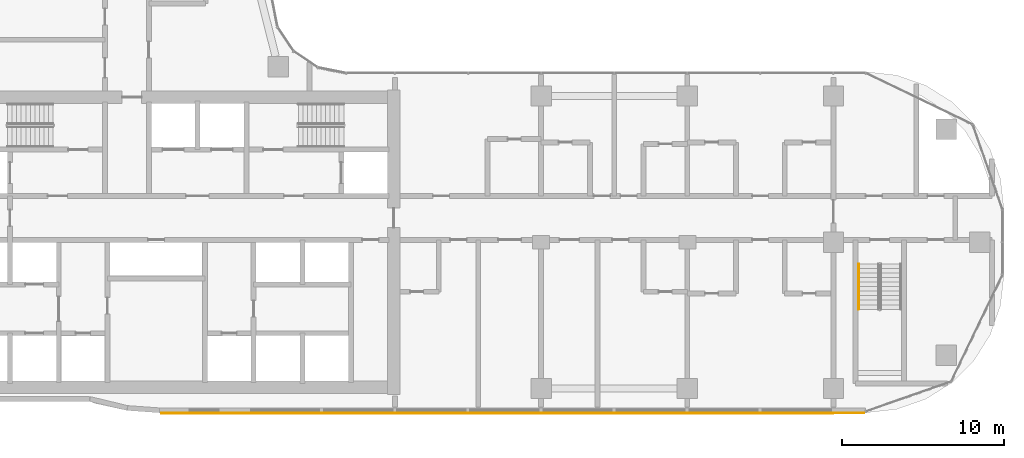
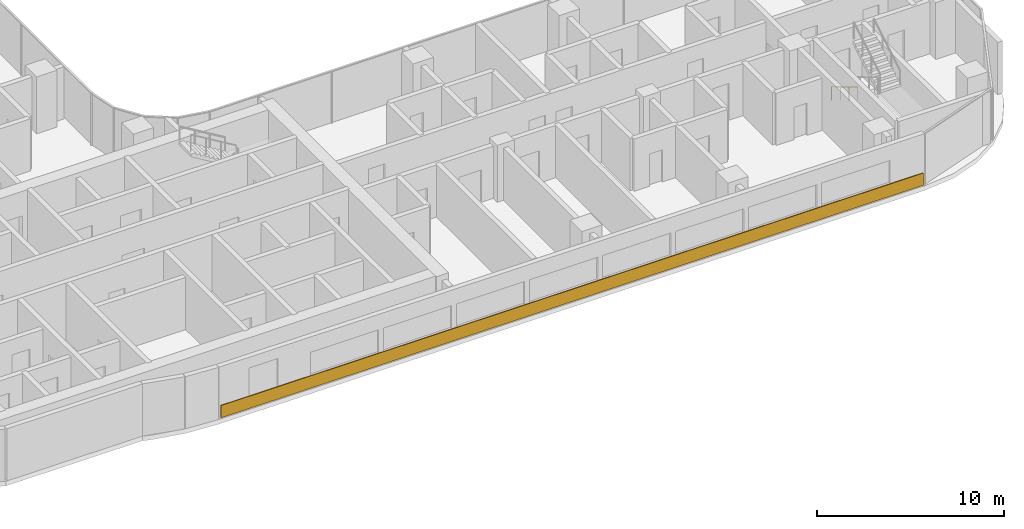
# One storey, part 20 of 22: 1 covering, 1 railing.
"""IFC4 building model written with IfcOpenShell, lengths in metres."""

from ifc_helpers import new_model, si_unit, direction, frame, origin, origin_2d, place, context, subcontext, project, spatial, rectangle, circle, extrude, material, layer, layer_set, type_object, element, save


model = new_model("IFC4")

# Units and contexts
model_context = context("Model", 3, precision=1e-05, world=origin(), true_north=direction((0.0, 1.0)))
body_context = subcontext(model_context, "Body", "Model", "MODEL_VIEW")
ifc_project = project(units=[si_unit("LENGTHUNIT", "METRE"), si_unit("AREAUNIT", "SQUARE_METRE"), si_unit("VOLUMEUNIT", "CUBIC_METRE"), si_unit("PLANEANGLEUNIT", "RADIAN"), si_unit("MASSUNIT", "GRAM", prefix="KILO")], contexts=[model_context])

# Site, building, storey
site_placement = place(None, origin())
site = spatial("IfcSite", under=ifc_project, at=site_placement, CompositionType="ELEMENT")
building_placement = place(site_placement, origin())
building = spatial("IfcBuilding", under=site, at=building_placement, Name="Ogive Portal Towers", CompositionType="ELEMENT")
storey_placement = place(building_placement, frame((0.0, 0.0, 113.0)))
storey = spatial("IfcBuildingStorey", under=building, at=storey_placement, Name="L27", CompositionType="ELEMENT", Elevation=113.0)

# Railing
ifc_material_1 = material(Name="Stainless steel handrail", Category="steel")
railing_type = type_object("IfcRailingType", Name="INT-HANDRAIL", PredefinedType="HANDRAIL", material=ifc_material_1)
railing_placement = place(storey_placement, frame((87.050048828125, 29.169921875, 0.168212890625)))
element("IfcRailing", 1, at=railing_placement, inside=storey, type_object=railing_type, Name="L27 ST-A4 stair handrail 1", PredefinedType="HANDRAIL", context=body_context, shape_type="SweptSolid", body=[
    extrude(circle(Radius=0.02392578125, at=origin_2d()), frame((0.0, 0.0, 0.8759765625), z_axis=(0.0, -0.857222391501, 0.514946377315), x_axis=(1.0, 0.0, 0.0)), (0.0, 0.0, 1.0), 3.26611328125),
    extrude(circle(Radius=0.02099609375, at=origin_2d()), origin(), (0.0, 0.0, 1.0), 0.851806640625),
    extrude(circle(Radius=0.02099609375, at=origin_2d()), frame((0.0, -0.933349609375, 0.560546875)), (0.0, 0.0, 1.0), 0.851806640625),
    extrude(circle(Radius=0.02099609375, at=origin_2d()), frame((0.0, -1.866455078125, 1.121337890625)), (0.0, 0.0, 1.0), 0.851806640625),
    extrude(circle(Radius=0.02099609375, at=origin_2d()), frame((0.0, -2.7998046875, 1.681884765625)), (0.0, 0.0, 1.0), 0.851806640625),
])

# Covering
ifc_material_2 = material(Name="Limestone cladding on lightweight block wall", Category="masonry")
ifc_layer = layer(ifc_material_2, 0.050048828125)
ifc_layer_set = layer_set([ifc_layer], Name="SCREEN PERFORATED STONE")
covering_type = type_object("IfcCoveringType", Name="SCREEN PERFORATED STONE", PredefinedType="CLADDING", material=ifc_layer_set)
covering_placement = place(storey_placement, frame((65.74853515625, 19.97509765625, 0.10009765625), z_axis=(0.0, 0.0, 1.0), x_axis=(1.0, 0.0, 0.0)))
element("IfcCovering", 2, at=covering_placement, inside=storey, type_object=covering_type, Name="Tracery screen", PredefinedType="CLADDING", context=body_context, shape_type="SweptSolid", body=[
    extrude(rectangle(XDim=43.275634765625, YDim=0.050048828125, at=origin_2d()), origin(), (0.0, 0.0, 1.0), 0.800048828125),
])

save(model, "model.ifc")
